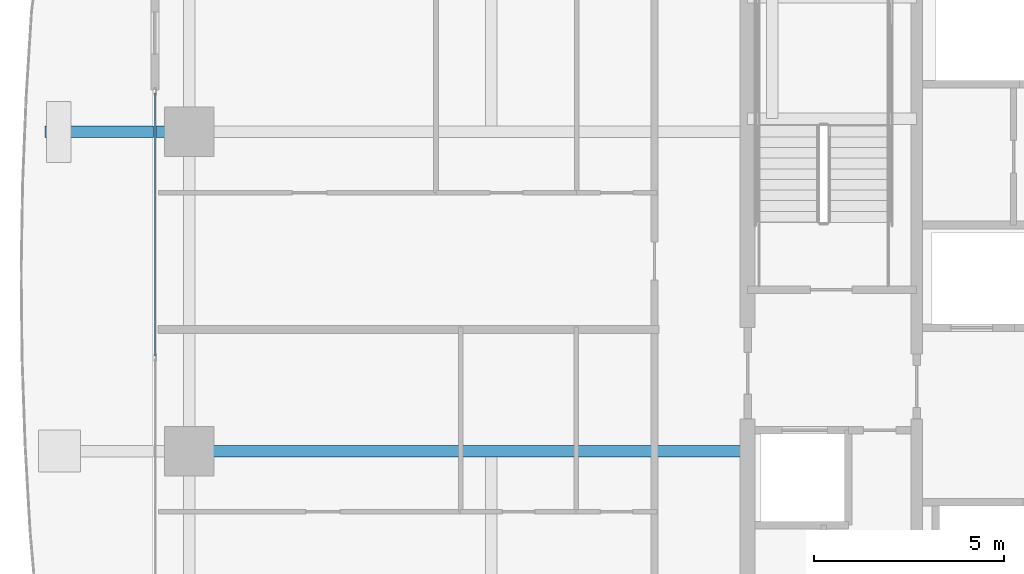
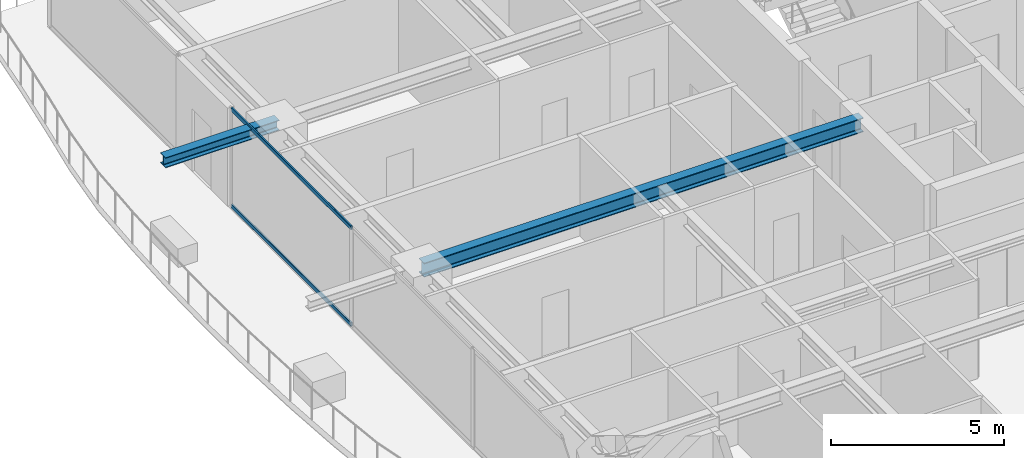
# One storey, part 9 of 38: 2 beams, 2 members, 1 element without a shape of its own.
"""IFC4 building model written with IfcOpenShell, lengths in metres."""

from ifc_helpers import new_model, si_unit, direction, frame, origin, origin_2d, place, context, subcontext, project, spatial, hollow_rectangle, i_section, extrude, source, transform, mapped, material, layer, layer_set, material_profile, profile_set, type_object, element, aggregate, save


model = new_model("IFC4")

# Units and contexts
model_context = context("Model", 3, precision=1e-05, world=origin(), true_north=direction((0.0, 1.0)))
body_context = subcontext(model_context, "Body", "Model", "MODEL_VIEW")
ifc_project = project(units=[si_unit("LENGTHUNIT", "METRE"), si_unit("AREAUNIT", "SQUARE_METRE"), si_unit("VOLUMEUNIT", "CUBIC_METRE"), si_unit("PLANEANGLEUNIT", "RADIAN"), si_unit("MASSUNIT", "GRAM", prefix="KILO")], contexts=[model_context])

# Site, building, storey
site_placement = place(None, origin())
site = spatial("IfcSite", under=ifc_project, at=site_placement, CompositionType="ELEMENT")
building_placement = place(site_placement, origin())
building = spatial("IfcBuilding", under=site, at=building_placement, Name="Serunith Strait Residences", CompositionType="ELEMENT")
storey_placement = place(building_placement, frame((0.0, 0.0, 120.14990234375)))
storey = spatial("IfcBuildingStorey", under=building, at=storey_placement, Name="L29", CompositionType="ELEMENT", Elevation=120.14990234375)

# Beams
ifc_material_1 = material(Name="Steel S355J2", Category="steel")
ifc_material_profile_1 = material_profile(ifc_material_1, i_section(OverallWidth=0.300048828125, OverallDepth=0.5, WebThickness=0.014404296875, FlangeThickness=0.028076171875, FilletRadius=0.027099609375, at=origin_2d()), Name="HEB 500")
ifc_profile_set_1 = profile_set([ifc_material_profile_1], Name="Steel S355J2")
beam_type_1 = type_object("IfcBeamType", Name="BM-HEB500", PredefinedType="BEAM", material=ifc_profile_set_1)
shared_shape_1 = source(origin(), body_context, "Body", "SweptSolid", [
    extrude(i_section(OverallWidth=0.300048828125, OverallDepth=0.5, WebThickness=0.014404296875, FlangeThickness=0.028076171875, FilletRadius=0.027099609375, at=origin_2d()), origin(), (0.0, 0.0, 1.0), 14.699951171875),
])
beam_1_placement = place(storey_placement, frame((23.39990234375, 21.0, 3.237060546875), z_axis=(-1.0, 0.0, 0.0), x_axis=(0.0, -1.0, 0.0)))
element("IfcBeam", 1, at=beam_1_placement, inside=storey, type_object=beam_type_1, Name="L29 Primary Floor Girder TC-W2", PredefinedType="BEAM", context=body_context, shape_type="MappedRepresentation", body=[
    mapped(shared_shape_1, transform((0.0, 0.0, 0.0), scale=1.0)),
])
ifc_material_profile_2 = material_profile(ifc_material_1, i_section(OverallWidth=0.300048828125, OverallDepth=0.360107421875, WebThickness=0.012451171875, FlangeThickness=0.0224609375, FilletRadius=0.027099609375, at=origin_2d()), Name="HEB 360")
ifc_profile_set_2 = profile_set([ifc_material_profile_2], Name="Steel S355J2")
beam_type_2 = type_object("IfcBeamType", Name="BM-HEB360", PredefinedType="BEAM", material=ifc_profile_set_2)
shared_shape_2 = source(origin(), body_context, "Body", "SweptSolid", [
    extrude(i_section(OverallWidth=0.300048828125, OverallDepth=0.360107421875, WebThickness=0.012451171875, FlangeThickness=0.0224609375, FilletRadius=0.027099609375, at=origin_2d()), origin(), (0.0, 0.0, 1.0), 3.800048828125),
])
beam_2_placement = place(storey_placement, frame((8.699951171875, 29.39990234375, 3.277099609375), z_axis=(-1.0, 0.0, 0.0), x_axis=(0.0, -1.0, 0.0)))
element("IfcBeam", 2, at=beam_2_placement, inside=storey, type_object=beam_type_2, Name="L30 Cantilevered Balcony Rib TC-W3", PredefinedType="BEAM", context=body_context, shape_type="MappedRepresentation", body=[
    mapped(shared_shape_2, transform((0.0, 0.0, 0.0), scale=1.0)),
])

# Curtain wall, members
ifc_material_2 = material(Name="Pale-Champagne Anodised Aluminium", Category="aluminium")
ifc_layer = layer(ifc_material_2, 0.199951171875, Name="Pale-Champagne Anodised Aluminium")
ifc_layer_set = layer_set([ifc_layer], Name="Pale-Champagne Anodised Aluminium")
curtain_wall_type = type_object("IfcCurtainWallType", Name="CW-SYS2", PredefinedType="NOTDEFINED", material=ifc_layer_set)
curtain_wall_placement = place(storey_placement, origin())
curtain_wall = element("IfcCurtainWall", 3, at=curtain_wall_placement, inside=storey, type_object=curtain_wall_type, Name="L29 W Unitised Fritted Curtain Wall", PredefinedType="NOTDEFINED")
ifc_material_profile_3 = material_profile(ifc_material_2, hollow_rectangle(XDim=0.06005859375, YDim=0.139892578125, WallThickness=0.00341796875, InnerFilletRadius=0.00537109375, OuterFilletRadius=0.0087890625, at=origin_2d()), Name="ALU 140x60x3.5")
ifc_profile_set_3 = profile_set([ifc_material_profile_3], Name="Pale-Champagne Anodised Aluminium")
member_type = type_object("IfcMemberType", Name="CW-SYS2-TRAN", PredefinedType="USERDEFINED", material=ifc_profile_set_3)
shared_shape_3 = source(origin(), body_context, "Body", "SweptSolid", [
    extrude(hollow_rectangle(XDim=0.06005859375, YDim=0.139892578125, WallThickness=0.00341796875, InnerFilletRadius=0.00537109375, OuterFilletRadius=0.0087890625, at=origin_2d()), origin(), (0.0, 0.0, 1.0), 6.92822265625),
])
member_1_placement = place(storey_placement, frame((7.800048828125, 30.429931640625, 0.030029296875), z_axis=(0.0, -1.0, 0.0), x_axis=(1.0, 0.0, 0.0)))
member_1 = element("IfcMember", 4, at=member_1_placement, type_object=member_type, Name="CW-2 transom 1.1", ObjectType="TRANSOM", PredefinedType="USERDEFINED", context=body_context, shape_type="MappedRepresentation", body=[
    mapped(shared_shape_3, transform((0.0, 0.0, 0.0), scale=1.0)),
])
member_2_placement = place(storey_placement, frame((7.800048828125, 30.429931640625, 3.445068359375), z_axis=(0.0, -1.0, 0.0), x_axis=(1.0, 0.0, 0.0)))
member_2 = element("IfcMember", 5, at=member_2_placement, type_object=member_type, Name="CW-2 transom 1.2", ObjectType="TRANSOM", PredefinedType="USERDEFINED", context=body_context, shape_type="MappedRepresentation", body=[
    mapped(shared_shape_3, transform((0.0, 0.0, 0.0), scale=1.0)),
])
aggregate(curtain_wall, [member_1, member_2])

save(model, "model.ifc")
